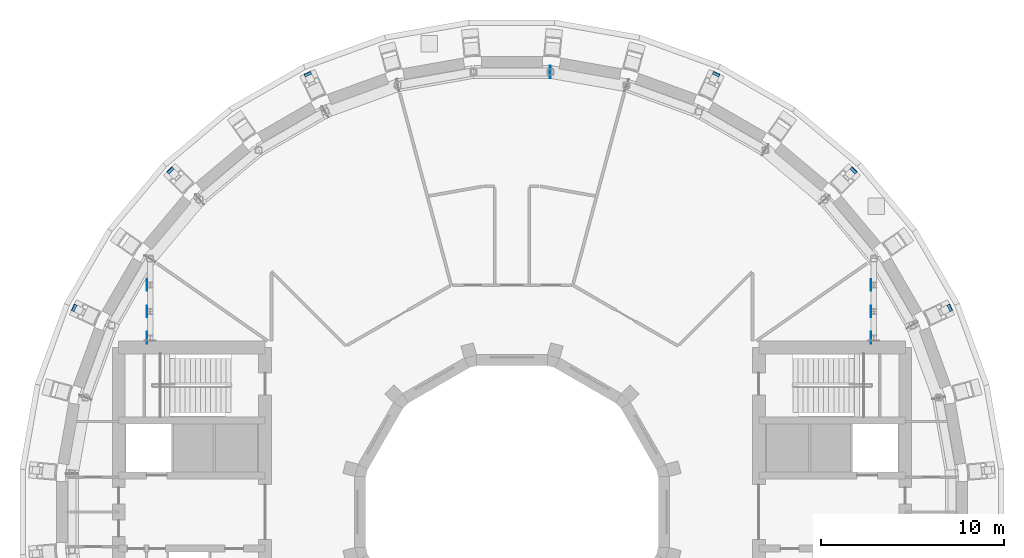
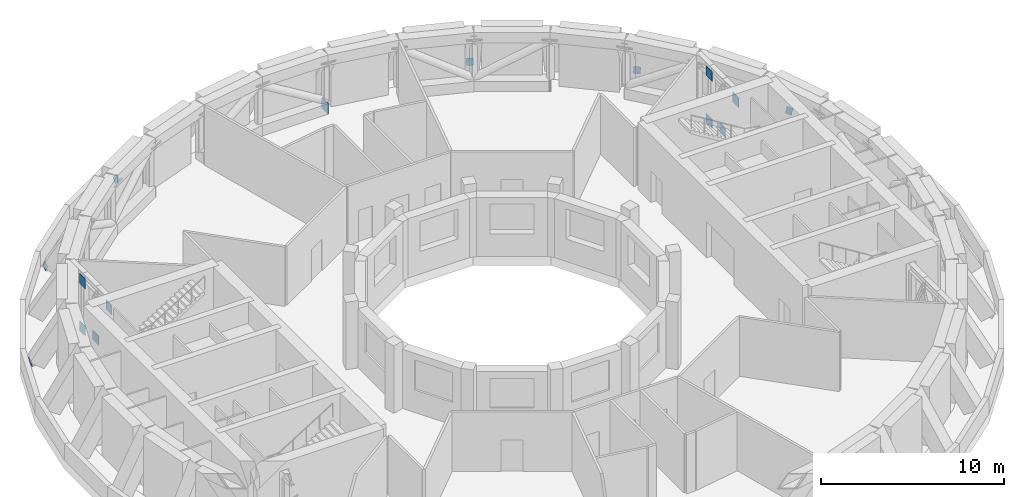
# One storey, part 19 of 20: 15 discrete accessories.
"""IFC4 building model written with IfcOpenShell, lengths in metres."""

from ifc_helpers import new_model, si_unit, direction, frame, origin, origin_2d, place, context, subcontext, project, spatial, rectangle, extrude, material, material_profile, profile_set, type_object, element, save


model = new_model("IFC4")

# Units and contexts
model_context = context("Model", 3, precision=1e-05, world=origin(), true_north=direction((0.0, 1.0)))
body_context = subcontext(model_context, "Body", "Model", "MODEL_VIEW")
ifc_project = project(units=[si_unit("LENGTHUNIT", "METRE"), si_unit("AREAUNIT", "SQUARE_METRE"), si_unit("VOLUMEUNIT", "CUBIC_METRE"), si_unit("PLANEANGLEUNIT", "RADIAN"), si_unit("MASSUNIT", "GRAM", prefix="KILO")], contexts=[model_context])

# Site, building, storey
site_placement = place(None, origin())
site = spatial("IfcSite", under=ifc_project, at=site_placement, CompositionType="ELEMENT")
building_placement = place(site_placement, origin())
building = spatial("IfcBuilding", under=site, at=building_placement, Name="Saqina Gate Tower", CompositionType="ELEMENT")
storey_placement = place(building_placement, frame((0.0, 0.0, 151.300048828125)))
storey = spatial("IfcBuildingStorey", under=building, at=storey_placement, Name="L43", CompositionType="ELEMENT", Elevation=151.300048828125)

# Discrete accessories
ifc_material_1 = material(Name="Steel S460", Category="steel")
ifc_material_profile_1 = material_profile(ifc_material_1, rectangle(XDim=0.39990234375, YDim=0.39990234375, at=origin_2d()), Name="STR-END PLATE-BOX 400x400x30")
ifc_profile_set_1 = profile_set([ifc_material_profile_1], Name="Steel S460")
discrete_accessory_type_1 = type_object("IfcDiscreteAccessoryType", Name="STR-END PLATE-BOX 400x400x30", PredefinedType="USERDEFINED", material=ifc_profile_set_1)
discrete_accessory_1_placement = place(storey_placement, frame((23.926513671875, 11.1572265625, 0.185302734375), z_axis=(0.84017969682, 0.391540052887, -0.375225884017), x_axis=(0.422404035423, -0.906407651588, 1.051573e-06)))
element("IfcDiscreteAccessory", 1, at=discrete_accessory_1_placement, inside=storey, type_object=discrete_accessory_type_1, Name="END PLATE NODE TIE BEAM L43 03 FOOT START", ObjectType="END PLATE", PredefinedType="USERDEFINED", context=body_context, shape_type="SweptSolid", body=[
    extrude(rectangle(XDim=0.39990234375, YDim=0.39990234375, at=origin_2d()), origin(), (0.0, 0.0, 1.0), 0.030029296875),
])
discrete_accessory_2_placement = place(storey_placement, frame((18.667724609375, 18.667724609375, 0.185302734375), z_axis=(0.655033934707, 0.655033934707, -0.376644512457), x_axis=(0.707106781187, -0.707106781187, 0.0)))
element("IfcDiscreteAccessory", 2, at=discrete_accessory_2_placement, inside=storey, type_object=discrete_accessory_type_1, Name="END PLATE NODE TIE BEAM L43 05 FOOT START", ObjectType="END PLATE", PredefinedType="USERDEFINED", context=body_context, shape_type="SweptSolid", body=[
    extrude(rectangle(XDim=0.39990234375, YDim=0.39990234375, at=origin_2d()), origin(), (0.0, 0.0, 1.0), 0.02978515625),
])
for number, where, z_axis, x_axis, name in (
    (3, (11.1572265625, 23.926513671875, 0.185302734375), (0.391540052887, 0.84017969682, -0.375225884017), (0.906407651588, -0.422404035423, -1.051573e-06), "END PLATE NODE TIE BEAM L43 07 FOOT START"),
    (4, (-11.1572265625, 23.926513671875, 0.185302734375), (-0.391540052887, 0.84017969682, -0.375225884017), (0.906407651588, 0.422404035423, 1.051573e-06), "END PLATE NODE TIE BEAM L43 12 FOOT START"),
):
    element("IfcDiscreteAccessory", number, at=place(storey_placement, frame(where, z_axis=z_axis, x_axis=x_axis)), inside=storey, type_object=discrete_accessory_type_1, Name=name, ObjectType="END PLATE", PredefinedType="USERDEFINED", context=body_context, shape_type="SweptSolid", body=[
        extrude(rectangle(XDim=0.39990234375, YDim=0.39990234375, at=origin_2d()), origin(), (0.0, 0.0, 1.0), 0.030029296875),
    ])
discrete_accessory_3_placement = place(storey_placement, frame((-18.667724609375, 18.667724609375, 0.185302734375), z_axis=(-0.655033934707, 0.655033934707, -0.376644512457), x_axis=(0.707106781187, 0.707106781187, 0.0)))
element("IfcDiscreteAccessory", 5, at=discrete_accessory_3_placement, inside=storey, type_object=discrete_accessory_type_1, Name="END PLATE NODE TIE BEAM L43 14 FOOT START", ObjectType="END PLATE", PredefinedType="USERDEFINED", context=body_context, shape_type="SweptSolid", body=[
    extrude(rectangle(XDim=0.39990234375, YDim=0.39990234375, at=origin_2d()), origin(), (0.0, 0.0, 1.0), 0.02978515625),
])
discrete_accessory_4_placement = place(storey_placement, frame((-23.926513671875, 11.1572265625, 0.185302734375), z_axis=(-0.84017969682, 0.391540052887, -0.375225884017), x_axis=(0.422404035423, 0.906407651588, -1.051573e-06)))
element("IfcDiscreteAccessory", 6, at=discrete_accessory_4_placement, inside=storey, type_object=discrete_accessory_type_1, Name="END PLATE NODE TIE BEAM L43 16 FOOT START", ObjectType="END PLATE", PredefinedType="USERDEFINED", context=body_context, shape_type="SweptSolid", body=[
    extrude(rectangle(XDim=0.39990234375, YDim=0.39990234375, at=origin_2d()), origin(), (0.0, 0.0, 1.0), 0.030029296875),
])
ifc_material_2 = material(Name="Steel S460", Category="steel")
ifc_material_profile_2 = material_profile(ifc_material_2, rectangle(XDim=0.699951171875, YDim=0.699951171875, at=origin_2d()), Name="STR-END PLATE-BOX 700x700x40")
ifc_profile_set_2 = profile_set([ifc_material_profile_2], Name="Steel S460")
discrete_accessory_type_2 = type_object("IfcDiscreteAccessoryType", Name="STR-END PLATE-BOX 700x700x40", PredefinedType="USERDEFINED", material=ifc_profile_set_2)
discrete_accessory_5_placement = place(storey_placement, frame((2.07421875, 24.05810546875, 0.349853515625), z_axis=(1.0, 0.0, 0.0), x_axis=(0.0, -1.0, 0.0)))
element("IfcDiscreteAccessory", 7, at=discrete_accessory_5_placement, inside=storey, type_object=discrete_accessory_type_2, Name="END PLATE BELT TRUSS L43 CHORD 019 START", ObjectType="END PLATE", PredefinedType="USERDEFINED", context=body_context, shape_type="SweptSolid", body=[
    extrude(rectangle(XDim=0.699951171875, YDim=0.699951171875, at=origin_2d()), origin(), (0.0, 0.0, 1.0), 0.0400390625),
])
ifc_material_3 = material(Name="Steel S460", Category="steel")
ifc_material_profile_3 = material_profile(ifc_material_3, rectangle(XDim=0.64990234375, YDim=0.64990234375, at=origin_2d()), Name="STR-END PLATE-GUSSET 650x650x20")
ifc_profile_set_3 = profile_set([ifc_material_profile_3], Name="Steel S460")
discrete_accessory_type_3 = type_object("IfcDiscreteAccessoryType", Name="STR-END PLATE-GUSSET 650x650x20", PredefinedType="USERDEFINED", material=ifc_profile_set_3)
for number, where, z_axis, x_axis, name in (
    (8, (19.62744140625, 12.4072265625, 0.261962890625), (-1.0, 0.0, 0.0), (0.0, -1.0, 0.0), "GUSSET PLATE OUTRIGGER TRUSS L43 CHORD 123"),
    (9, (19.629638671875, 9.51806640625, 3.426025390625), (-1.0, 0.0, 0.0), (0.0, -1.0, 0.0), "GUSSET PLATE OUTRIGGER TRUSS L43 POST 127"),
    (10, (19.629638671875, 10.962646484375, 0.52392578125), (-1.0, 0.0, 0.0), (0.0, -1.0, 0.0), "GUSSET PLATE OUTRIGGER TRUSS L43 POST 128"),
    (11, (19.629638671875, 12.4072265625, 3.426025390625), (-1.0, 0.0, 0.0), (0.0, -1.0, 0.0), "GUSSET PLATE OUTRIGGER TRUSS L43 POST 129"),
    (12, (-19.9375, 12.4072265625, 0.261962890625), (-1.0, 0.0, 0.0), (0.0, -1.0, 0.0), "GUSSET PLATE OUTRIGGER TRUSS L43 CHORD 143"),
    (13, (-19.935546875, 9.51806640625, 3.426025390625), (-1.0, 0.0, 0.0), (0.0, -1.0, 0.0), "GUSSET PLATE OUTRIGGER TRUSS L43 POST 147"),
    (14, (-19.935546875, 10.962646484375, 0.52392578125), (-1.0, 0.0, 0.0), (0.0, -1.0, 0.0), "GUSSET PLATE OUTRIGGER TRUSS L43 POST 148"),
    (15, (-19.935546875, 12.4072265625, 3.426025390625), (-1.0, 0.0, 0.0), (0.0, -1.0, 0.0), "GUSSET PLATE OUTRIGGER TRUSS L43 POST 149"),
):
    element("IfcDiscreteAccessory", number, at=place(storey_placement, frame(where, z_axis=z_axis, x_axis=x_axis)), inside=storey, type_object=discrete_accessory_type_3, Name=name, ObjectType="GUSSET PLATE", PredefinedType="USERDEFINED", context=body_context, shape_type="SweptSolid", body=[
        extrude(rectangle(XDim=0.64990234375, YDim=0.64990234375, at=origin_2d()), origin(), (0.0, 0.0, 1.0), 0.02001953125),
    ])

save(model, "model.ifc")
